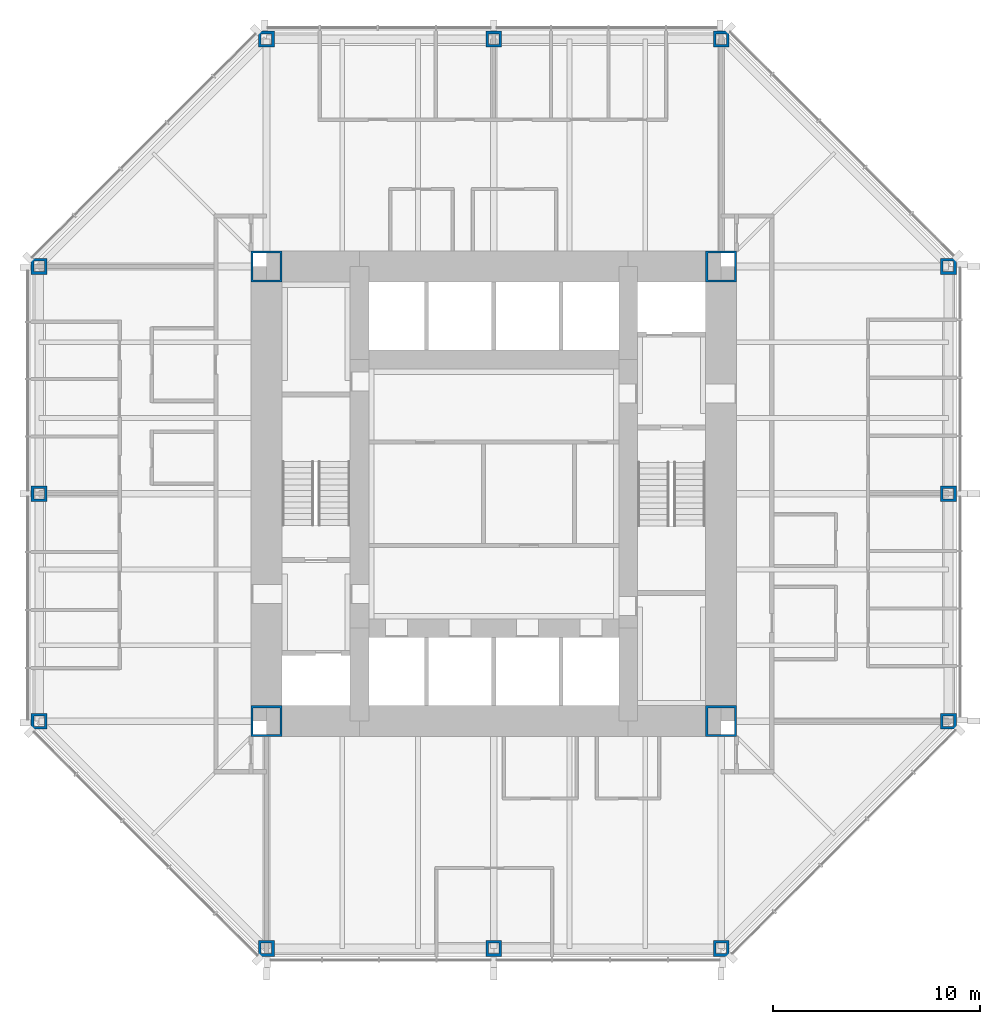
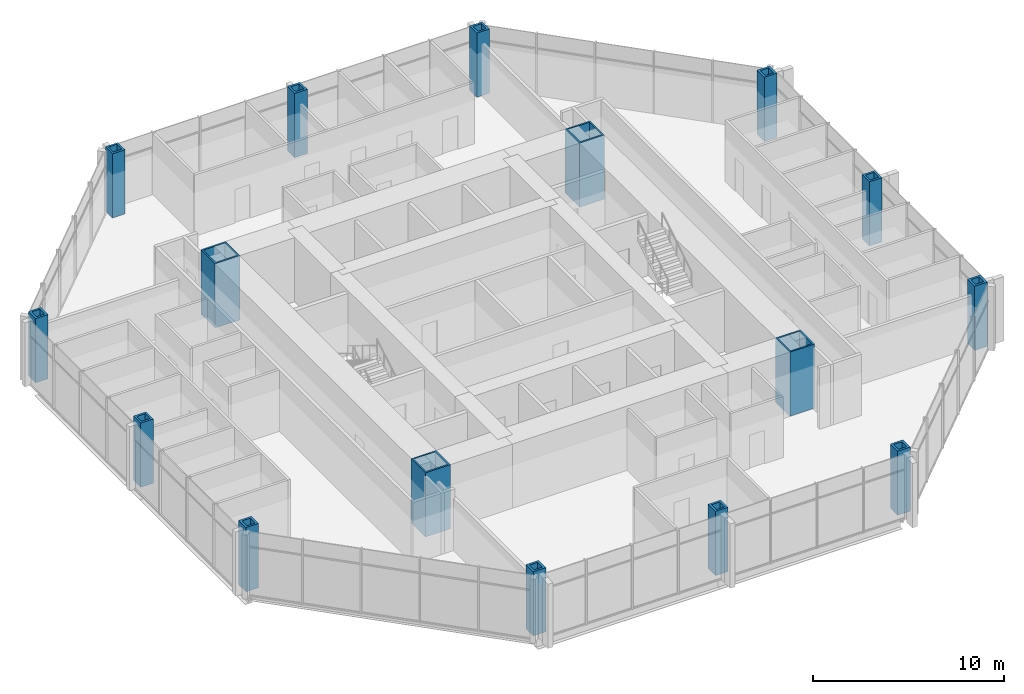
# One storey, part 1 of 14: 16 columns.
"""IFC4 building model written with IfcOpenShell, lengths in metres."""

from ifc_helpers import new_model, si_unit, direction, frame, origin, origin_2d, place, context, subcontext, project, spatial, hollow_rectangle, extrude, material, material_profile, profile_set, type_object, element, save


model = new_model("IFC4")

# Units and contexts
model_context = context("Model", 3, precision=1e-05, world=origin(), true_north=direction((0.0, 1.0)))
body_context = subcontext(model_context, "Body", "Model", "MODEL_VIEW")
ifc_project = project(units=[si_unit("LENGTHUNIT", "METRE"), si_unit("AREAUNIT", "SQUARE_METRE"), si_unit("VOLUMEUNIT", "CUBIC_METRE"), si_unit("PLANEANGLEUNIT", "RADIAN"), si_unit("MASSUNIT", "GRAM", prefix="KILO")], contexts=[model_context])

# Site, building, storey
site_placement = place(None, origin())
site = spatial("IfcSite", under=ifc_project, at=site_placement, CompositionType="ELEMENT")
building_placement = place(site_placement, origin())
building = spatial("IfcBuilding", under=site, at=building_placement, Name="Trevanion Tower", CompositionType="ELEMENT")
storey_placement = place(building_placement, frame((0.0, 0.0, 100.800048828125)))
storey = spatial("IfcBuildingStorey", under=building, at=storey_placement, Name="L23", CompositionType="ELEMENT", Elevation=100.800048828125)

# Columns
ifc_material_1 = material(Name="Steel ASTM A588 Grade 50", Category="steel")
ifc_material_profile_1 = material_profile(ifc_material_1, hollow_rectangle(XDim=0.761962890625, YDim=0.761962890625, WallThickness=0.126953125, at=origin_2d()), Name="BOX30X30X5")
ifc_profile_set_1 = profile_set([ifc_material_profile_1], Name="Steel ASTM A588 Grade 50")
column_type_1 = type_object("IfcColumnType", Name="C4 BOX30X30X5", PredefinedType="COLUMN", material=ifc_profile_set_1)
for number, where, z_axis, x_axis, name in (
    (1, (-22.0, 0.0, 0.0), (0.0, 0.0, 1.0), (0.0, 1.0, 0.0), "C4 4/H L23"),
    (2, (-22.0, -11.0, 0.0), (0.0, 0.0, 1.0), (0.0, 1.0, 0.0), "C4 4/F L23"),
    (3, (-11.0, -22.0, 0.0), (0.0, 0.0, 1.0), (1.0, 0.0, 0.0), "C4 8/B L23"),
    (4, (0.0, -22.0, 0.0), (0.0, 0.0, 1.0), (1.0, 0.0, 0.0), "C4 10/B L23"),
    (5, (11.0, -22.0, 0.0), (0.0, 0.0, 1.0), (1.0, 0.0, 0.0), "C4 12/B L23"),
    (6, (22.0, -11.0, 0.0), (0.0, 0.0, 1.0), (0.0, 1.0, 0.0), "C4 16/F L23"),
    (7, (22.0, 0.0, 0.0), (0.0, 0.0, 1.0), (0.0, 1.0, 0.0), "C4 16/H L23"),
    (8, (22.0, 11.0, 0.0), (0.0, 0.0, 1.0), (0.0, 1.0, 0.0), "C4 16/K L23"),
    (9, (11.0, 22.0, 0.0), (0.0, 0.0, 1.0), (1.0, 0.0, 0.0), "C4 12/P L23"),
    (10, (0.0, 22.0, 0.0), (0.0, 0.0, 1.0), (1.0, 0.0, 0.0), "C4 10/P L23"),
    (11, (-11.0, 22.0, 0.0), (0.0, 0.0, 1.0), (1.0, 0.0, 0.0), "C4 8/P L23"),
    (12, (-22.0, 11.0, 0.0), (0.0, 0.0, 1.0), (0.0, 1.0, 0.0), "C4 4/K L23"),
):
    element("IfcColumn", number, at=place(storey_placement, frame(where, z_axis=z_axis, x_axis=x_axis)), inside=storey, type_object=column_type_1, Name=name, PredefinedType="COLUMN", context=body_context, shape_type="SweptSolid", body=[
        extrude(hollow_rectangle(XDim=0.761962890625, YDim=0.761962890625, WallThickness=0.126953125, at=origin_2d()), origin(), (0.0, 0.0, 1.0), 4.099853515625),
    ])
ifc_material_2 = material(Name="Steel ASTM A572 Grade 50", Category="steel")
ifc_material_profile_2 = material_profile(ifc_material_2, hollow_rectangle(XDim=1.49853515625, YDim=1.49853515625, WallThickness=0.1015625, at=origin_2d()), Name="BOX59X59X4")
ifc_profile_set_2 = profile_set([ifc_material_profile_2], Name="Steel ASTM A572 Grade 50")
column_type_2 = type_object("IfcColumnType", Name="CB1 BOX59X59X4", PredefinedType="COLUMN", material=ifc_profile_set_2)
for number, where, z_axis, x_axis, name in (
    (13, (11.0, 11.0, 0.0), (0.0, 0.0, 1.0), (1.0, 0.0, 0.0), "CB1 NE L23"),
    (14, (-11.0, 11.0, 0.0), (0.0, 0.0, 1.0), (1.0, 0.0, 0.0), "CB1 NW L23"),
    (15, (-11.0, -11.0, 0.0), (0.0, 0.0, 1.0), (1.0, 0.0, 0.0), "CB1 SW L23"),
    (16, (11.0, -11.0, 0.0), (0.0, 0.0, 1.0), (1.0, 0.0, 0.0), "CB1 SE L23"),
):
    element("IfcColumn", number, at=place(storey_placement, frame(where, z_axis=z_axis, x_axis=x_axis)), inside=storey, type_object=column_type_2, Name=name, PredefinedType="COLUMN", context=body_context, shape_type="SweptSolid", body=[
        extrude(hollow_rectangle(XDim=1.49853515625, YDim=1.49853515625, WallThickness=0.1015625, at=origin_2d()), origin(), (0.0, 0.0, 1.0), 4.099853515625),
    ])

save(model, "model.ifc")
